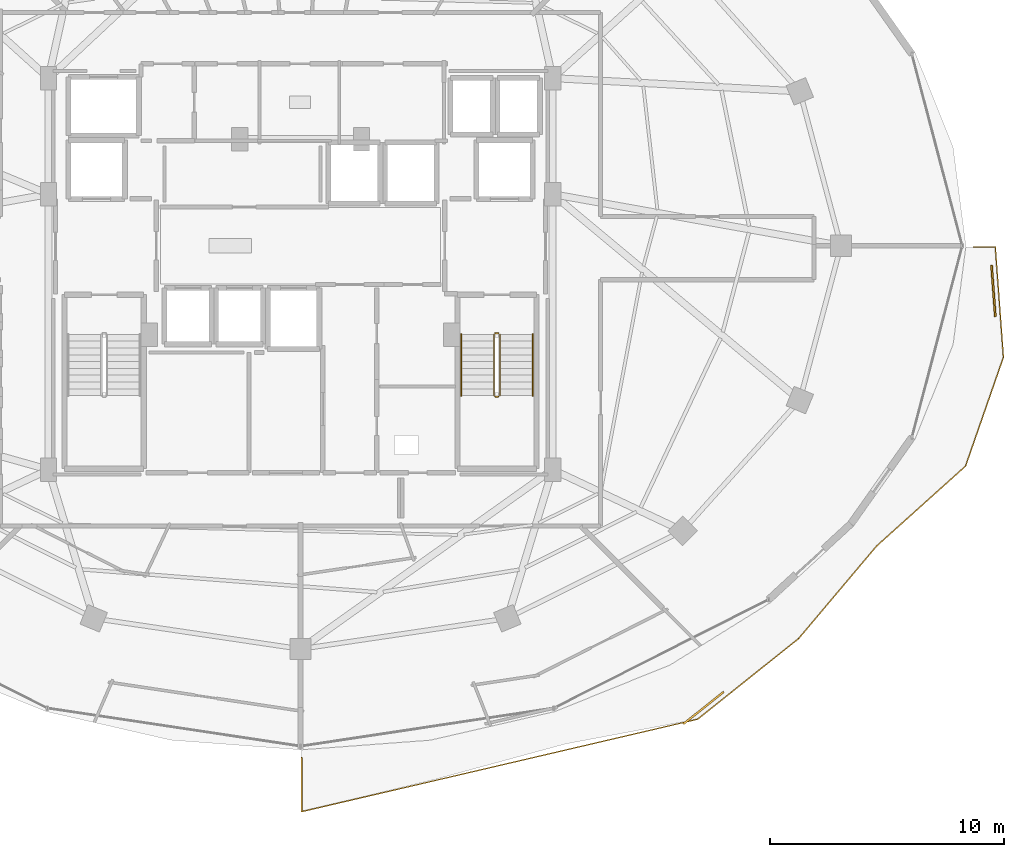
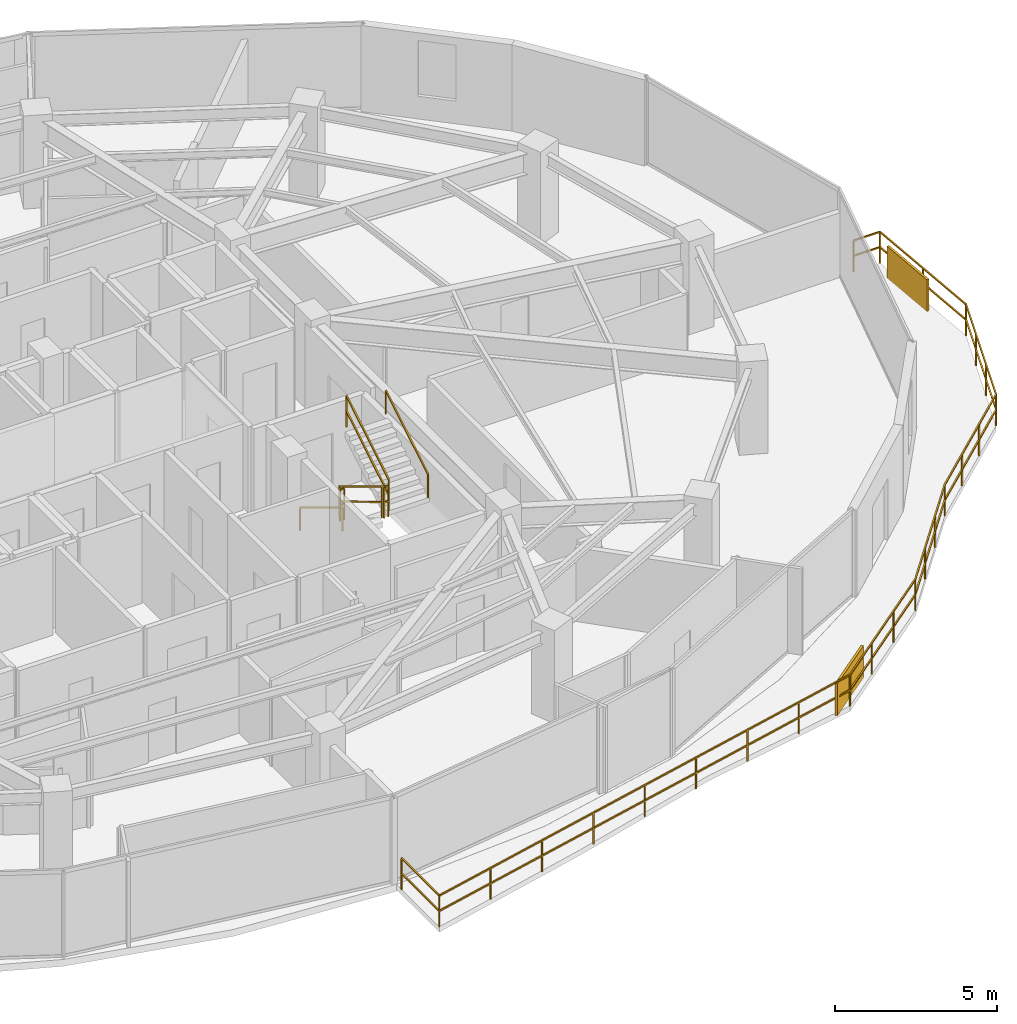
# One storey, part 29 of 31: 8 railings, 2 shading devices.
"""IFC4 building model written with IfcOpenShell, lengths in metres."""

from ifc_helpers import new_model, si_unit, direction, frame, origin, origin_2d, place, context, subcontext, project, spatial, rectangle, extrude, material, type_object, element, save


model = new_model("IFC4")

# Units and contexts
model_context = context("Model", 3, precision=1e-05, world=origin(), true_north=direction((0.0, 1.0)))
body_context = subcontext(model_context, "Body", "Model", "MODEL_VIEW")
ifc_project = project(units=[si_unit("LENGTHUNIT", "METRE"), si_unit("AREAUNIT", "SQUARE_METRE"), si_unit("VOLUMEUNIT", "CUBIC_METRE"), si_unit("PLANEANGLEUNIT", "RADIAN"), si_unit("MASSUNIT", "GRAM", prefix="KILO")], contexts=[model_context])

# Site, building, storey
site_placement = place(None, origin())
site = spatial("IfcSite", under=ifc_project, at=site_placement, CompositionType="ELEMENT")
building_placement = place(site_placement, origin())
building = spatial("IfcBuilding", under=site, at=building_placement, Name="Vorneva Point Tower", CompositionType="ELEMENT")
storey_placement = place(building_placement, frame((0.0, 0.0, 193.10009765625)))
storey = spatial("IfcBuildingStorey", under=building, at=storey_placement, Name="L52", CompositionType="ELEMENT", Elevation=193.10009765625)

# Railings
ifc_material_1 = material(Name="Pale anodised aluminium", Category="aluminium")
railing_type_1 = type_object("IfcRailingType", Name="RL-BAL-1200", PredefinedType="BALUSTRADE", material=ifc_material_1)
railing_1_placement = place(storey_placement, frame((67.97998046875, 21.2421875, 0.0)))
element("IfcRailing", 1, at=railing_1_placement, inside=storey, type_object=railing_type_1, Name="L52 Wave Balcony Balustrade SE.1", PredefinedType="BALUSTRADE", context=body_context, shape_type="SweptSolid", body=[
    extrude(rectangle(XDim=0.048095703125, YDim=0.048095703125, at=origin_2d()), frame((0.0, 0.0, 1.17578125), z_axis=(-0.073338251452, 0.997307124648, 0.0), x_axis=(-0.997307124648, -0.073338251452, 0.0)), (0.0, 0.0, 1.0), 4.720458984375),
    extrude(rectangle(XDim=0.048095703125, YDim=0.048095703125, at=origin_2d()), frame((0.0, 0.0, 0.60009765625), z_axis=(-0.073338251452, 0.997307124648, 0.0), x_axis=(-0.997307124648, -0.073338251452, 0.0)), (0.0, 0.0, 1.0), 4.720458984375),
    extrude(rectangle(XDim=0.048095703125, YDim=0.048095703125, at=origin_2d()), frame((-0.34619140625, 4.707763671875, 1.17578125), z_axis=(-1.0, 0.0, 0.0), x_axis=(0.0, -1.0, 0.0)), (0.0, 0.0, 1.0), 0.9375),
    extrude(rectangle(XDim=0.048095703125, YDim=0.048095703125, at=origin_2d()), frame((-0.34619140625, 4.707763671875, 0.60009765625), z_axis=(-1.0, 0.0, 0.0), x_axis=(0.0, -1.0, 0.0)), (0.0, 0.0, 1.0), 0.9375),
    extrude(rectangle(XDim=0.0419921875, YDim=0.0419921875, at=origin_2d()), origin(), (0.0, 0.0, 1.0), 1.15185546875),
    extrude(rectangle(XDim=0.0419921875, YDim=0.0419921875, at=origin_2d()), frame((-0.173095703125, 2.35400390625, 0.0)), (0.0, 0.0, 1.0), 1.15185546875),
    extrude(rectangle(XDim=0.0419921875, YDim=0.0419921875, at=origin_2d()), frame((-0.34619140625, 4.707763671875, 0.0)), (0.0, 0.0, 1.0), 1.15185546875),
    extrude(rectangle(XDim=0.0419921875, YDim=0.0419921875, at=origin_2d()), frame((-1.28369140625, 4.707763671875, 0.0)), (0.0, 0.0, 1.0), 1.15185546875),
])
railing_2_placement = place(storey_placement, frame((38.050048828125, 4.182861328125, 0.0)))
element("IfcRailing", 2, at=railing_2_placement, inside=storey, type_object=railing_type_1, Name="L52 Wave Balcony Balustrade SE.2", PredefinedType="BALUSTRADE", context=body_context, shape_type="SweptSolid", body=[
    extrude(rectangle(XDim=0.048095703125, YDim=0.048095703125, at=origin_2d()), frame((0.0, 0.0, 1.17578125), z_axis=(0.0, -1.0, 0.0), x_axis=(1.0, 0.0, 0.0)), (0.0, 0.0, 1.0), 2.32080078125),
    extrude(rectangle(XDim=0.048095703125, YDim=0.048095703125, at=origin_2d()), frame((0.0, 0.0, 0.60009765625), z_axis=(0.0, -1.0, 0.0), x_axis=(1.0, 0.0, 0.0)), (0.0, 0.0, 1.0), 2.32080078125),
    extrude(rectangle(XDim=0.048095703125, YDim=0.048095703125, at=origin_2d()), frame((0.0, -2.32080078125, 1.17578125), z_axis=(0.973794466116, 0.2274298524, 0.0), x_axis=(-0.2274298524, 0.973794466116, 0.0)), (0.0, 0.0, 1.0), 17.34423828125),
    extrude(rectangle(XDim=0.048095703125, YDim=0.048095703125, at=origin_2d()), frame((0.0, -2.32080078125, 0.60009765625), z_axis=(0.973794466116, 0.2274298524, 0.0), x_axis=(-0.2274298524, 0.973794466116, 0.0)), (0.0, 0.0, 1.0), 17.34423828125),
    extrude(rectangle(XDim=0.048095703125, YDim=0.048095703125, at=origin_2d()), frame((16.8896484375, 1.623779296875, 1.17578125), z_axis=(0.781581742766, 0.62380283694, 0.0), x_axis=(-0.62380283694, 0.781581742766, 0.0)), (0.0, 0.0, 1.0), 5.508544921875),
    extrude(rectangle(XDim=0.048095703125, YDim=0.048095703125, at=origin_2d()), frame((16.8896484375, 1.623779296875, 0.60009765625), z_axis=(0.781581742766, 0.62380283694, 0.0), x_axis=(-0.62380283694, 0.781581742766, 0.0)), (0.0, 0.0, 1.0), 5.508544921875),
    extrude(rectangle(XDim=0.048095703125, YDim=0.048095703125, at=origin_2d()), frame((21.195068359375, 5.06005859375, 1.17578125), z_axis=(0.644460214612, 0.764637843545, 0.0), x_axis=(-0.764637843545, 0.644460214612, 0.0)), (0.0, 0.0, 1.0), 5.166015625),
    extrude(rectangle(XDim=0.048095703125, YDim=0.048095703125, at=origin_2d()), frame((21.195068359375, 5.06005859375, 0.60009765625), z_axis=(0.644460214612, 0.764637843545, 0.0), x_axis=(-0.764637843545, 0.644460214612, 0.0)), (0.0, 0.0, 1.0), 5.166015625),
    extrude(rectangle(XDim=0.048095703125, YDim=0.048095703125, at=origin_2d()), frame((24.5244140625, 9.01025390625, 1.17578125), z_axis=(0.743803703003, 0.668398123425, 0.0), x_axis=(-0.668398123425, 0.743803703003, 0.0)), (0.0, 0.0, 1.0), 5.09619140625),
    extrude(rectangle(XDim=0.048095703125, YDim=0.048095703125, at=origin_2d()), frame((24.5244140625, 9.01025390625, 0.60009765625), z_axis=(0.743803703003, 0.668398123425, 0.0), x_axis=(-0.668398123425, 0.743803703003, 0.0)), (0.0, 0.0, 1.0), 5.09619140625),
    extrude(rectangle(XDim=0.048095703125, YDim=0.048095703125, at=origin_2d()), frame((28.31494140625, 12.41650390625, 1.17578125), z_axis=(0.328537961783, 0.944490766322, 0.0), x_axis=(-0.944490766322, 0.328537961783, 0.0)), (0.0, 0.0, 1.0), 4.915771484375),
    extrude(rectangle(XDim=0.048095703125, YDim=0.048095703125, at=origin_2d()), frame((28.31494140625, 12.41650390625, 0.60009765625), z_axis=(0.328537961783, 0.944490766322, 0.0), x_axis=(-0.944490766322, 0.328537961783, 0.0)), (0.0, 0.0, 1.0), 4.915771484375),
    extrude(rectangle(XDim=0.0419921875, YDim=0.0419921875, at=origin_2d()), origin(), (0.0, 0.0, 1.0), 1.15185546875),
    extrude(rectangle(XDim=0.0419921875, YDim=0.0419921875, at=origin_2d()), frame((0.0, -2.32080078125, 0.0)), (0.0, 0.0, 1.0), 1.15185546875),
    extrude(rectangle(XDim=0.0419921875, YDim=0.0419921875, at=origin_2d()), frame((2.111328125, -1.82763671875, 0.0)), (0.0, 0.0, 1.0), 1.15185546875),
    extrude(rectangle(XDim=0.0419921875, YDim=0.0419921875, at=origin_2d()), frame((4.222412109375, -1.334716796875, 0.0)), (0.0, 0.0, 1.0), 1.15185546875),
    extrude(rectangle(XDim=0.0419921875, YDim=0.0419921875, at=origin_2d()), frame((6.33349609375, -0.841552734375, 0.0)), (0.0, 0.0, 1.0), 1.15185546875),
    extrude(rectangle(XDim=0.0419921875, YDim=0.0419921875, at=origin_2d()), frame((8.44482421875, -0.3486328125, 0.0)), (0.0, 0.0, 1.0), 1.15185546875),
    extrude(rectangle(XDim=0.0419921875, YDim=0.0419921875, at=origin_2d()), frame((10.55615234375, 0.14453125, 0.0)), (0.0, 0.0, 1.0), 1.15185546875),
    extrude(rectangle(XDim=0.0419921875, YDim=0.0419921875, at=origin_2d()), frame((12.667236328125, 0.6376953125, 0.0)), (0.0, 0.0, 1.0), 1.15185546875),
    extrude(rectangle(XDim=0.0419921875, YDim=0.0419921875, at=origin_2d()), frame((14.7783203125, 1.130615234375, 0.0)), (0.0, 0.0, 1.0), 1.15185546875),
    extrude(rectangle(XDim=0.0419921875, YDim=0.0419921875, at=origin_2d()), frame((16.8896484375, 1.623779296875, 0.0)), (0.0, 0.0, 1.0), 1.15185546875),
    extrude(rectangle(XDim=0.0419921875, YDim=0.0419921875, at=origin_2d()), frame((18.32470703125, 2.769287109375, 0.0)), (0.0, 0.0, 1.0), 1.15185546875),
    extrude(rectangle(XDim=0.0419921875, YDim=0.0419921875, at=origin_2d()), frame((19.760009765625, 3.91455078125, 0.0)), (0.0, 0.0, 1.0), 1.15185546875),
    extrude(rectangle(XDim=0.0419921875, YDim=0.0419921875, at=origin_2d()), frame((21.195068359375, 5.06005859375, 0.0)), (0.0, 0.0, 1.0), 1.15185546875),
    extrude(rectangle(XDim=0.0419921875, YDim=0.0419921875, at=origin_2d()), frame((22.304931640625, 6.376708984375, 0.0)), (0.0, 0.0, 1.0), 1.15185546875),
    extrude(rectangle(XDim=0.0419921875, YDim=0.0419921875, at=origin_2d()), frame((23.41455078125, 7.693603515625, 0.0)), (0.0, 0.0, 1.0), 1.15185546875),
    extrude(rectangle(XDim=0.0419921875, YDim=0.0419921875, at=origin_2d()), frame((24.5244140625, 9.01025390625, 0.0)), (0.0, 0.0, 1.0), 1.15185546875),
    extrude(rectangle(XDim=0.0419921875, YDim=0.0419921875, at=origin_2d()), frame((25.787841796875, 10.145751953125, 0.0)), (0.0, 0.0, 1.0), 1.15185546875),
    extrude(rectangle(XDim=0.0419921875, YDim=0.0419921875, at=origin_2d()), frame((27.051513671875, 11.281005859375, 0.0)), (0.0, 0.0, 1.0), 1.15185546875),
    extrude(rectangle(XDim=0.0419921875, YDim=0.0419921875, at=origin_2d()), frame((28.31494140625, 12.41650390625, 0.0)), (0.0, 0.0, 1.0), 1.15185546875),
    extrude(rectangle(XDim=0.0419921875, YDim=0.0419921875, at=origin_2d()), frame((28.853271484375, 13.964111328125, 0.0)), (0.0, 0.0, 1.0), 1.15185546875),
    extrude(rectangle(XDim=0.0419921875, YDim=0.0419921875, at=origin_2d()), frame((29.3916015625, 15.51171875, 0.0)), (0.0, 0.0, 1.0), 1.15185546875),
    extrude(rectangle(XDim=0.0419921875, YDim=0.0419921875, at=origin_2d()), frame((29.929931640625, 17.059326171875, 0.0)), (0.0, 0.0, 1.0), 1.15185546875),
])
ifc_material_2 = material(Name="Brushed stainless steel S304", Category="steel")
railing_type_2 = type_object("IfcRailingType", Name="RL-HND-920", PredefinedType="HANDRAIL", material=ifc_material_2)
railing_3_placement = place(storey_placement, frame((44.85009765625, 22.219970703125, 0.1748046875)))
element("IfcRailing", 3, at=railing_3_placement, inside=storey, type_object=railing_type_2, Name="L52 ST2 stair handrail 1", PredefinedType="HANDRAIL", context=body_context, shape_type="SweptSolid", body=[
    extrude(rectangle(XDim=0.048095703125, YDim=0.048095703125, at=origin_2d()), frame((0.0, 0.0, 0.8759765625), z_axis=(0.0, -0.856147343639, 0.516731773728), x_axis=(1.0, 0.0, 0.0)), (0.0, 0.0, 1.0), 3.04833984375),
    extrude(rectangle(XDim=0.0419921875, YDim=0.0419921875, at=origin_2d()), origin(), (0.0, 0.0, 1.0), 0.851806640625),
    extrude(rectangle(XDim=0.0419921875, YDim=0.0419921875, at=origin_2d()), frame((0.0, -2.60986328125, 1.5751953125)), (0.0, 0.0, 1.0), 0.851806640625),
])
railing_4_placement = place(storey_placement, frame((47.89990234375, 19.610107421875, 1.9248046875)))
element("IfcRailing", 4, at=railing_4_placement, inside=storey, type_object=railing_type_2, Name="L52 ST2 stair handrail 2", PredefinedType="HANDRAIL", context=body_context, shape_type="SweptSolid", body=[
    extrude(rectangle(XDim=0.048095703125, YDim=0.048095703125, at=origin_2d()), frame((0.0, 0.0, 0.8759765625), z_axis=(0.0, 0.856147343639, 0.516731773728), x_axis=(-1.0, 0.0, 0.0)), (0.0, 0.0, 1.0), 3.04833984375),
    extrude(rectangle(XDim=0.0419921875, YDim=0.0419921875, at=origin_2d()), origin(), (0.0, 0.0, 1.0), 0.851806640625),
    extrude(rectangle(XDim=0.0419921875, YDim=0.0419921875, at=origin_2d()), frame((0.0, 2.60986328125, 1.5751953125)), (0.0, 0.0, 1.0), 0.851806640625),
])
railing_type_3 = type_object("IfcRailingType", Name="RL-STG-1100", PredefinedType="GUARDRAIL", material=ifc_material_2)
railing_5_placement = place(storey_placement, frame((46.25, 22.219970703125, 0.1748046875)))
element("IfcRailing", 5, at=railing_5_placement, inside=storey, type_object=railing_type_3, Name="L52 ST2 stair guard 1", PredefinedType="GUARDRAIL", context=body_context, shape_type="SweptSolid", body=[
    extrude(rectangle(XDim=0.048095703125, YDim=0.048095703125, at=origin_2d()), frame((0.0, 0.0, 1.17578125), z_axis=(0.0, -0.856147343639, 0.516731773728), x_axis=(1.0, 0.0, 0.0)), (0.0, 0.0, 1.0), 3.04833984375),
    extrude(rectangle(XDim=0.048095703125, YDim=0.048095703125, at=origin_2d()), frame((0.0, 0.0, 0.60009765625), z_axis=(0.0, -0.856147343639, 0.516731773728), x_axis=(1.0, 0.0, 0.0)), (0.0, 0.0, 1.0), 3.04833984375),
    extrude(rectangle(XDim=0.0419921875, YDim=0.0419921875, at=origin_2d()), origin(), (0.0, 0.0, 1.0), 1.15185546875),
    extrude(rectangle(XDim=0.0419921875, YDim=0.0419921875, at=origin_2d()), frame((0.0, -2.60986328125, 1.5751953125)), (0.0, 0.0, 1.0), 1.15185546875),
])
railing_6_placement = place(storey_placement, frame((46.300048828125, 19.56005859375, 1.75)))
element("IfcRailing", 6, at=railing_6_placement, inside=storey, type_object=railing_type_3, Name="L52 ST2 stair guard 2", PredefinedType="GUARDRAIL", context=body_context, shape_type="SweptSolid", body=[
    extrude(rectangle(XDim=0.048095703125, YDim=0.048095703125, at=origin_2d()), frame((0.0, 0.0, 1.17578125), z_axis=(1.0, 0.0, 0.0), x_axis=(0.0, 1.0, 0.0)), (0.0, 0.0, 1.0), 0.14990234375),
    extrude(rectangle(XDim=0.048095703125, YDim=0.048095703125, at=origin_2d()), frame((0.0, 0.0, 0.60009765625), z_axis=(1.0, 0.0, 0.0), x_axis=(0.0, 1.0, 0.0)), (0.0, 0.0, 1.0), 0.14990234375),
    extrude(rectangle(XDim=0.0419921875, YDim=0.0419921875, at=origin_2d()), origin(), (0.0, 0.0, 1.0), 1.15185546875),
    extrude(rectangle(XDim=0.0419921875, YDim=0.0419921875, at=origin_2d()), frame((0.14990234375, 0.0, 0.0)), (0.0, 0.0, 1.0), 1.15185546875),
])
railing_7_placement = place(storey_placement, frame((46.5, 19.610107421875, 1.9248046875)))
element("IfcRailing", 7, at=railing_7_placement, inside=storey, type_object=railing_type_3, Name="L52 ST2 stair guard 3", PredefinedType="GUARDRAIL", context=body_context, shape_type="SweptSolid", body=[
    extrude(rectangle(XDim=0.048095703125, YDim=0.048095703125, at=origin_2d()), frame((0.0, 0.0, 1.17578125), z_axis=(0.0, 0.856147343639, 0.516731773728), x_axis=(-1.0, 0.0, 0.0)), (0.0, 0.0, 1.0), 3.04833984375),
    extrude(rectangle(XDim=0.048095703125, YDim=0.048095703125, at=origin_2d()), frame((0.0, 0.0, 0.60009765625), z_axis=(0.0, 0.856147343639, 0.516731773728), x_axis=(-1.0, 0.0, 0.0)), (0.0, 0.0, 1.0), 3.04833984375),
    extrude(rectangle(XDim=0.0419921875, YDim=0.0419921875, at=origin_2d()), origin(), (0.0, 0.0, 1.0), 1.15185546875),
    extrude(rectangle(XDim=0.0419921875, YDim=0.0419921875, at=origin_2d()), frame((0.0, 2.60986328125, 1.5751953125)), (0.0, 0.0, 1.0), 1.15185546875),
])
railing_8_placement = place(storey_placement, frame((46.300048828125, 22.27001953125, 0.0)))
element("IfcRailing", 8, at=railing_8_placement, inside=storey, type_object=railing_type_3, Name="L52 ST2 stair guard 4", PredefinedType="GUARDRAIL", context=body_context, shape_type="SweptSolid", body=[
    extrude(rectangle(XDim=0.048095703125, YDim=0.048095703125, at=origin_2d()), frame((0.0, 0.0, 1.17578125), z_axis=(1.0, 0.0, 0.0), x_axis=(0.0, 1.0, 0.0)), (0.0, 0.0, 1.0), 0.14990234375),
    extrude(rectangle(XDim=0.048095703125, YDim=0.048095703125, at=origin_2d()), frame((0.0, 0.0, 0.60009765625), z_axis=(1.0, 0.0, 0.0), x_axis=(0.0, 1.0, 0.0)), (0.0, 0.0, 1.0), 0.14990234375),
    extrude(rectangle(XDim=0.0419921875, YDim=0.0419921875, at=origin_2d()), origin(), (0.0, 0.0, 1.0), 1.15185546875),
    extrude(rectangle(XDim=0.0419921875, YDim=0.0419921875, at=origin_2d()), frame((0.14990234375, 0.0, 0.0)), (0.0, 0.0, 1.0), 1.15185546875),
])

# Shading devices
shading_device_type = type_object("IfcShadingDeviceType", Name="SHD-JAL-1200", PredefinedType="JALOUSIE", material=ifc_material_1)
for number, where, z_axis, x_axis, name in (
    (9, (67.552978515625, 24.077880859375, -0.02001953125), (0.0, 0.0, 1.0), (-0.073342635254, 0.99730680227, 0.0), "L52 Balcony Vertical-Greenery Planter Screen SE.1"),
    (10, (55.190673828125, 6.2880859375, -0.02001953125), (0.0, 0.0, 1.0), (0.781574913208, 0.623811393807, 0.0), "L52 Balcony Vertical-Greenery Planter Screen SE.2"),
):
    element("IfcShadingDevice", number, at=place(storey_placement, frame(where, z_axis=z_axis, x_axis=x_axis)), inside=storey, type_object=shading_device_type, Name=name, PredefinedType="JALOUSIE", context=body_context, shape_type="SweptSolid", body=[
        extrude(rectangle(XDim=2.199951171875, YDim=0.080078125, at=origin_2d()), origin(), (0.0, 0.0, 1.0), 1.199951171875),
    ])

save(model, "model.ifc")
